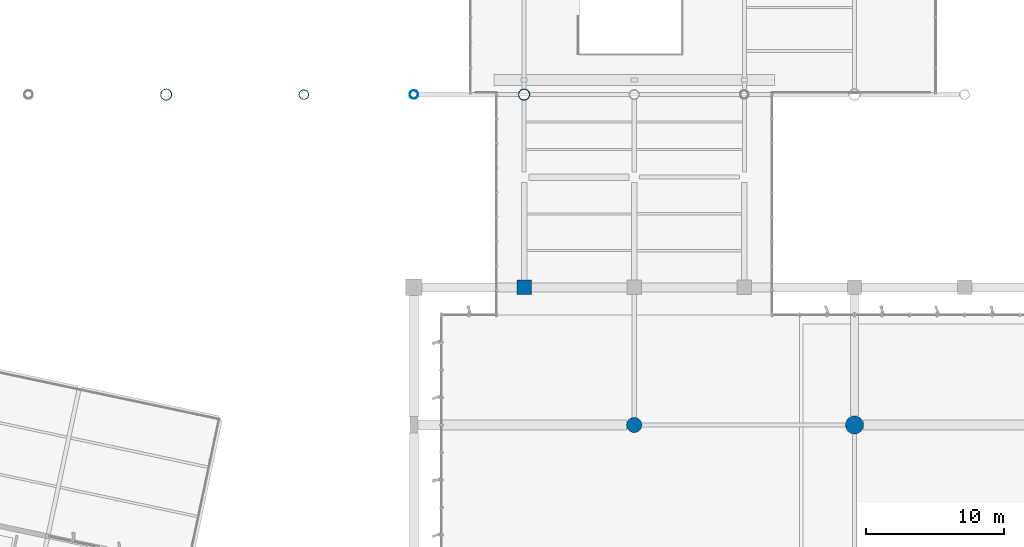
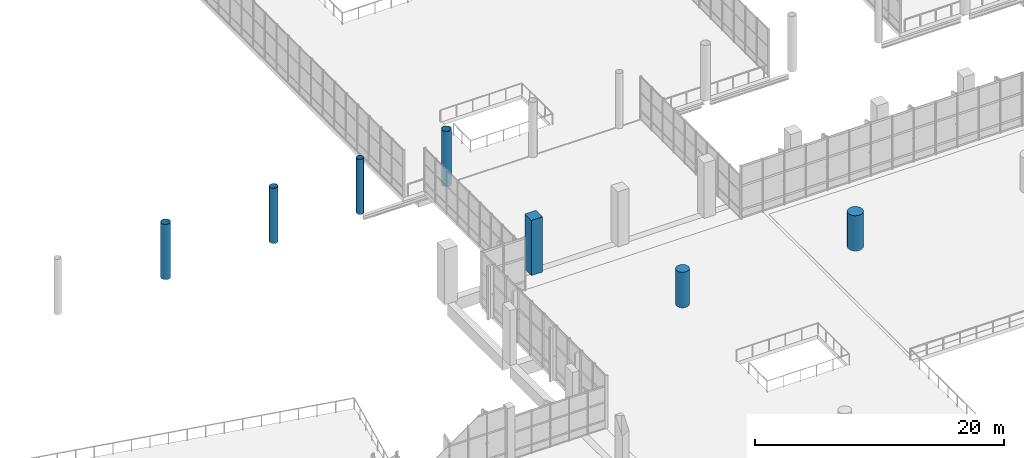
# One storey, part 9 of 176: 7 columns.
"""IFC4 building model written with IfcOpenShell, lengths in metres."""

from ifc_helpers import new_model, si_unit, direction, frame, origin, origin_2d, place, context, subcontext, project, spatial, rectangle, circle, hollow_circle, extrude, material, material_profile, profile_set, type_object, element, save


model = new_model("IFC4")

# Units and contexts
model_context = context("Model", 3, precision=1e-05, world=origin(), true_north=direction((0.0, 1.0)))
body_context = subcontext(model_context, "Body", "Model", "MODEL_VIEW")
ifc_project = project(units=[si_unit("LENGTHUNIT", "METRE"), si_unit("AREAUNIT", "SQUARE_METRE"), si_unit("VOLUMEUNIT", "CUBIC_METRE"), si_unit("PLANEANGLEUNIT", "RADIAN"), si_unit("MASSUNIT", "GRAM", prefix="KILO")], contexts=[model_context])

# Site, building, storey
site_placement = place(None, origin())
site = spatial("IfcSite", under=ifc_project, at=site_placement, CompositionType="ELEMENT")
building_placement = place(site_placement, origin())
building = spatial("IfcBuilding", under=site, at=building_placement, Name="Khorjan Park Terminus", CompositionType="ELEMENT")
storey_placement = place(building_placement, frame((0.0, 0.0, 6.0)))
storey = spatial("IfcBuildingStorey", under=building, at=storey_placement, Name="L01", CompositionType="ELEMENT", Elevation=6.0)

# Columns
ifc_material_1 = material(Name="Concrete C50/60", Category="concrete")
ifc_material_profile_1 = material_profile(ifc_material_1, rectangle(XDim=1.05, YDim=1.05, at=origin_2d()), Name="RC 1050x1050")
ifc_profile_set_1 = profile_set([ifc_material_profile_1], Name="Concrete C50/60")
column_type_1 = type_object("IfcColumnType", Name="COL-RC1050", PredefinedType="COLUMN", material=ifc_profile_set_1)
column_1_placement = place(storey_placement, frame((56.0, 88.0, 0.0), z_axis=(0.0, 0.0, 1.0), x_axis=(1.0, 0.0, 0.0)))
element("IfcColumn", 1, at=column_1_placement, inside=storey, type_object=column_type_1, Name="Structural column C-RC105 (L01 #282)", PredefinedType="COLUMN", context=body_context, shape_type="SweptSolid", body=[
    extrude(rectangle(XDim=1.05, YDim=1.05, at=origin_2d()), origin(), (0.0, 0.0, 1.0), 5.4),
])
ifc_material_profile_2 = material_profile(ifc_material_1, circle(Radius=0.55, at=origin_2d()), Name="RC D1100")
ifc_profile_set_2 = profile_set([ifc_material_profile_2], Name="Concrete C50/60")
column_type_2 = type_object("IfcColumnType", Name="COL-RD1100", PredefinedType="COLUMN", material=ifc_profile_set_2)
column_2_placement = place(storey_placement, frame((64.0, 78.0, 0.0), z_axis=(0.0, 0.0, 1.0), x_axis=(1.0, 0.0, 0.0)))
element("IfcColumn", 2, at=column_2_placement, inside=storey, type_object=column_type_2, Name="Structural column C-RD11 (L01 #302)", PredefinedType="COLUMN", context=body_context, shape_type="SweptSolid", body=[
    extrude(circle(Radius=0.55, at=origin_2d()), origin(), (0.0, 0.0, 1.0), 3.48),
])
ifc_material_profile_3 = material_profile(ifc_material_1, circle(Radius=0.65, at=origin_2d()), Name="RC D1300")
ifc_profile_set_3 = profile_set([ifc_material_profile_3], Name="Concrete C50/60")
column_type_3 = type_object("IfcColumnType", Name="COL-RD1300", PredefinedType="COLUMN", material=ifc_profile_set_3)
column_3_placement = place(storey_placement, frame((80.0, 78.0, 0.0), z_axis=(0.0, 0.0, 1.0), x_axis=(1.0, 0.0, 0.0)))
element("IfcColumn", 3, at=column_3_placement, inside=storey, type_object=column_type_3, Name="Structural column C-RD13 (L01 #339)", PredefinedType="COLUMN", context=body_context, shape_type="SweptSolid", body=[
    extrude(circle(Radius=0.65, at=origin_2d()), origin(), (0.0, 0.0, 1.0), 3.48),
])
ifc_material_2 = material(Name="Steel S355", Category="steel")
ifc_material_profile_4 = material_profile(ifc_material_2, hollow_circle(Radius=0.305, WallThickness=0.02, at=origin_2d()), Name="CHS 610x20")
ifc_profile_set_4 = profile_set([ifc_material_profile_4], Name="Steel S355")
column_type_4 = type_object("IfcColumnType", Name="COL-SH610E", PredefinedType="COLUMN", material=ifc_profile_set_4)
column_4_placement = place(storey_placement, frame((48.0, 102.0, 0.0), z_axis=(0.0, 0.0, 1.0), x_axis=(1.0, 0.0, 0.0)))
element("IfcColumn", 4, at=column_4_placement, inside=storey, type_object=column_type_4, Name="Structural column SC-61 (L01 #63)", PredefinedType="COLUMN", context=body_context, shape_type="SweptSolid", body=[
    extrude(hollow_circle(Radius=0.305, WallThickness=0.02, at=origin_2d()), origin(), (0.0, 0.0, 1.0), 5.4),
])
ifc_material_profile_5 = material_profile(ifc_material_2, hollow_circle(Radius=0.3555, WallThickness=0.025, at=origin_2d()), Name="CHS 711x25")
ifc_profile_set_5 = profile_set([ifc_material_profile_5], Name="Steel S355")
column_type_5 = type_object("IfcColumnType", Name="COL-SH711E", PredefinedType="COLUMN", material=ifc_profile_set_5)
column_5_placement = place(storey_placement, frame((40.0, 102.0, 0.0), z_axis=(0.0, 0.0, 1.0), x_axis=(1.0, 0.0, 0.0)))
element("IfcColumn", 5, at=column_5_placement, inside=storey, type_object=column_type_5, Name="Structural column SC-71 (L01 #51)", PredefinedType="COLUMN", context=body_context, shape_type="SweptSolid", body=[
    extrude(hollow_circle(Radius=0.3555, WallThickness=0.025, at=origin_2d()), origin(), (0.0, 0.0, 1.0), 5.4),
])
ifc_material_profile_6 = material_profile(ifc_material_2, hollow_circle(Radius=0.4065, WallThickness=0.025, at=origin_2d()), Name="CHS 813x25")
ifc_profile_set_6 = profile_set([ifc_material_profile_6], Name="Steel S355")
column_type_6 = type_object("IfcColumnType", Name="COL-SH813E", PredefinedType="COLUMN", material=ifc_profile_set_6)
for number, where, z_axis, x_axis, name in (
    (6, (30.0, 102.0, 0.0), (0.0, 0.0, 1.0), (1.0, 0.0, 0.0), "Structural column SC-81 (L01 #39)"),
    (7, (56.0, 102.0, 0.0), (0.0, 0.0, 1.0), (1.0, 0.0, 0.0), "Structural column SC-81 (L01 #75)"),
):
    element("IfcColumn", number, at=place(storey_placement, frame(where, z_axis=z_axis, x_axis=x_axis)), inside=storey, type_object=column_type_6, Name=name, PredefinedType="COLUMN", context=body_context, shape_type="SweptSolid", body=[
        extrude(hollow_circle(Radius=0.4065, WallThickness=0.025, at=origin_2d()), origin(), (0.0, 0.0, 1.0), 5.4),
    ])

save(model, "model.ifc")
